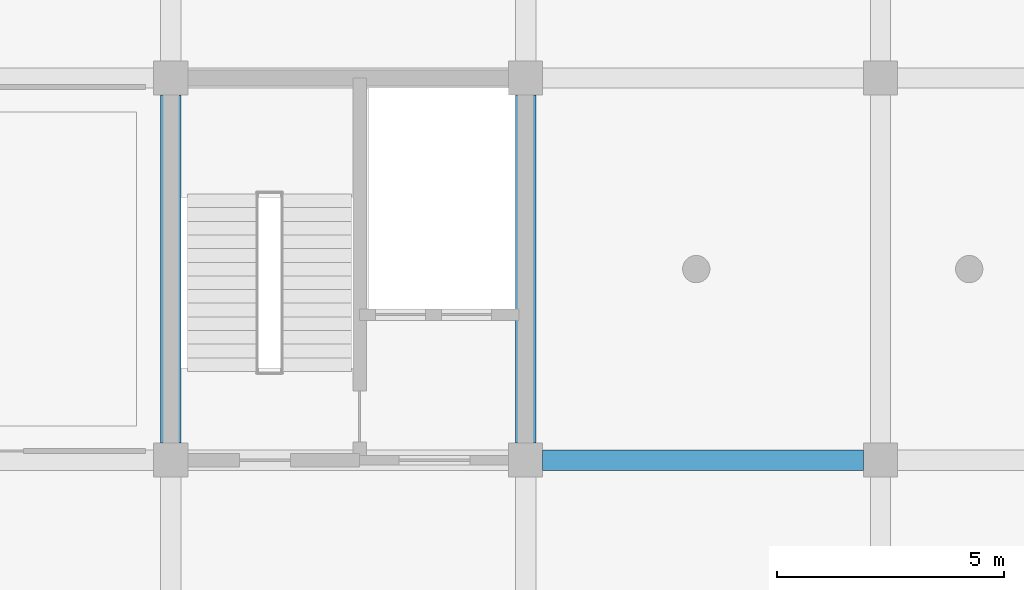
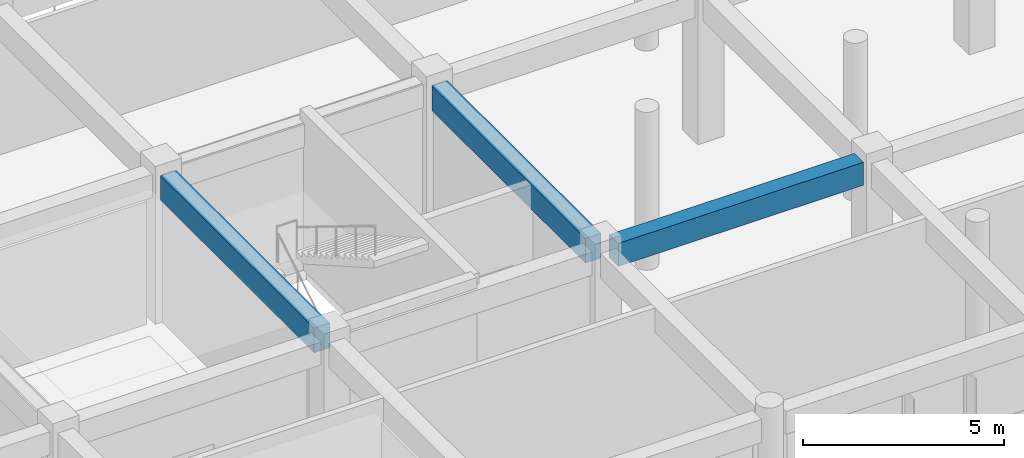
# One storey, part 32 of 167: 3 beams.
"""IFC4 building model written with IfcOpenShell, lengths in metres."""

from ifc_helpers import new_model, si_unit, direction, frame, origin, origin_2d, place, context, subcontext, project, spatial, rectangle, extrude, material, material_profile, profile_set, type_object, element, save


model = new_model("IFC4")

# Units and contexts
model_context = context("Model", 3, precision=1e-05, world=origin(), true_north=direction((0.0, 1.0)))
body_context = subcontext(model_context, "Body", "Model", "MODEL_VIEW")
ifc_project = project(units=[si_unit("LENGTHUNIT", "METRE"), si_unit("AREAUNIT", "SQUARE_METRE"), si_unit("VOLUMEUNIT", "CUBIC_METRE"), si_unit("PLANEANGLEUNIT", "RADIAN"), si_unit("MASSUNIT", "GRAM", prefix="KILO")], contexts=[model_context])

# Site, building, storey
site_placement = place(None, origin())
site = spatial("IfcSite", under=ifc_project, at=site_placement, CompositionType="ELEMENT")
building_placement = place(site_placement, origin())
building = spatial("IfcBuilding", under=site, at=building_placement, Name="Zizhar Promenade General Hospital", CompositionType="ELEMENT")
storey_placement = place(building_placement, frame((0.0, 0.0, 9.60009765625)))
storey = spatial("IfcBuildingStorey", under=building, at=storey_placement, Name="L02", CompositionType="ELEMENT", Elevation=9.60009765625)

# Beams
ifc_material_1 = material(Name="Concrete C35/45", Category="concrete")
ifc_material_profile_1 = material_profile(ifc_material_1, rectangle(XDim=0.449951171875, YDim=0.699951171875, at=origin_2d()))
ifc_profile_set_1 = profile_set([ifc_material_profile_1], Name="Concrete C35/45")
beam_type_1 = type_object("IfcBeamType", Name="BM-RC-450x700", PredefinedType="BEAM", material=ifc_profile_set_1)
beam_placement = place(storey_placement, frame((101.77490234375, 8.39990234375, 4.119873046875), z_axis=(1.0, 0.0, 0.0), x_axis=(0.0, 1.0, 0.0)))
element("IfcBeam", 1, at=beam_placement, inside=storey, type_object=beam_type_1, Name="Grid Beam X L02 (13-1)", PredefinedType="BEAM", context=body_context, shape_type="SweptSolid", body=[
    extrude(rectangle(XDim=0.449951171875, YDim=0.699951171875, at=origin_2d()), origin(), (0.0, 0.0, 1.0), 7.050048828125),
])
ifc_material_2 = material(Name="Concrete C35/45", Category="concrete")
ifc_material_profile_2 = material_profile(ifc_material_2, rectangle(XDim=0.449951171875, YDim=0.75, at=origin_2d()))
ifc_profile_set_2 = profile_set([ifc_material_profile_2], Name="Concrete C35/45")
beam_type_2 = type_object("IfcBeamType", Name="BM-RC-450x750", PredefinedType="BEAM", material=ifc_profile_set_2)
for number, where, z_axis, x_axis, name in (
    (2, (93.60009765625, 8.77490234375, 4.094970703125), (0.0, 1.0, 0.0), (-1.0, 0.0, 0.0), "Grid Beam Y L02 (12-1)"),
    (3, (101.39990234375, 8.77490234375, 4.094970703125), (0.0, 1.0, 0.0), (-1.0, 0.0, 0.0), "Grid Beam Y L02 (13-1)"),
):
    element("IfcBeam", number, at=place(storey_placement, frame(where, z_axis=z_axis, x_axis=x_axis)), inside=storey, type_object=beam_type_2, Name=name, PredefinedType="BEAM", context=body_context, shape_type="SweptSolid", body=[
        extrude(rectangle(XDim=0.449951171875, YDim=0.75, at=origin_2d()), origin(), (0.0, 0.0, 1.0), 7.650146484375),
    ])

save(model, "model.ifc")
